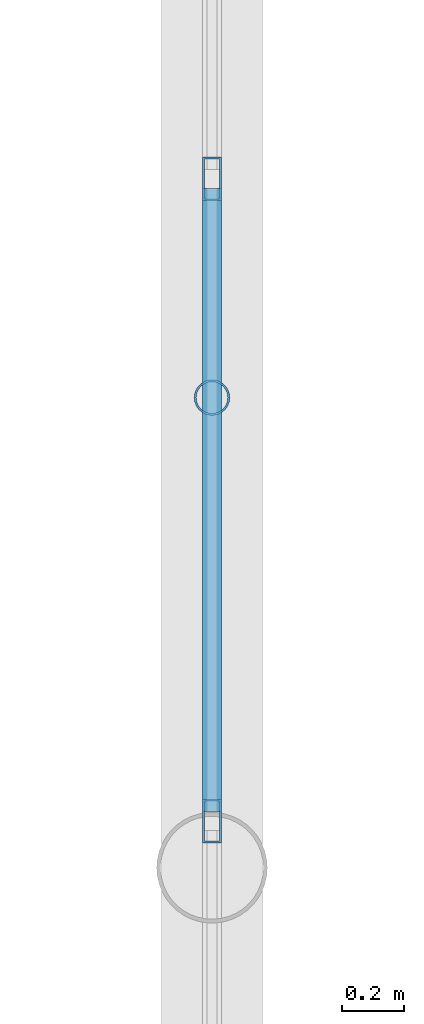
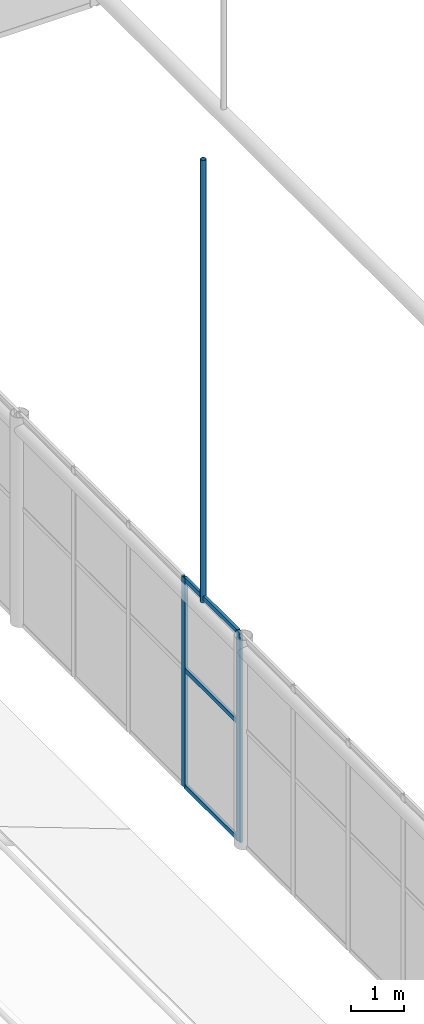
# One storey, part 64 of 167: 6 members, 1 element without a shape of its own.
"""IFC4 building model written with IfcOpenShell, lengths in metres."""

from ifc_helpers import new_model, si_unit, direction, frame, origin, origin_2d, place, context, subcontext, project, spatial, hollow_rectangle, hollow_circle, extrude, material, material_profile, profile_set, type_object, element, aggregate, save


model = new_model("IFC4")

# Units and contexts
model_context = context("Model", 3, precision=1e-05, world=origin(), true_north=direction((0.0, 1.0)))
body_context = subcontext(model_context, "Body", "Model", "MODEL_VIEW")
ifc_project = project(units=[si_unit("LENGTHUNIT", "METRE"), si_unit("AREAUNIT", "SQUARE_METRE"), si_unit("VOLUMEUNIT", "CUBIC_METRE"), si_unit("PLANEANGLEUNIT", "RADIAN"), si_unit("MASSUNIT", "GRAM", prefix="KILO")], contexts=[model_context])

# Site, building, storey
site_placement = place(None, origin())
site = spatial("IfcSite", under=ifc_project, at=site_placement, CompositionType="ELEMENT")
building_placement = place(site_placement, origin())
building = spatial("IfcBuilding", under=site, at=building_placement, Name="Catenary Quay Ferry Terminal", CompositionType="ELEMENT")
storey_placement = place(building_placement, frame((0.0, 0.0, 6.0)))
storey = spatial("IfcBuildingStorey", under=building, at=storey_placement, Name="L01", CompositionType="ELEMENT", Elevation=6.0)

# Member
ifc_material_1 = material(Name="Steel S355", Category="steel")
ifc_material_profile_1 = material_profile(ifc_material_1, hollow_circle(Radius=0.05712890625, WallThickness=0.00634765625, at=origin_2d()), Name="CHS 114.3x6.3")
ifc_profile_set_1 = profile_set([ifc_material_profile_1], Name="Steel S355")
member_type_1 = type_object("IfcMemberType", Name="HG1 CHS 114.3x6.3", PredefinedType="POST", material=ifc_profile_set_1)
member_1_placement = place(storey_placement, frame((25.199951171875, 119.110107421875, 4.654052734375), z_axis=(0.0, 0.0, 1.0), x_axis=(1.0, 0.0, 0.0)))
element("IfcMember", 1, at=member_1_placement, inside=storey, type_object=member_type_1, Name="Hanger VD-01-04", PredefinedType="POST", context=body_context, shape_type="SweptSolid", body=[
    extrude(hollow_circle(Radius=0.05712890625, WallThickness=0.00634765625, at=origin_2d()), origin(), (0.0, 0.0, 1.0), 10.137939453125),
])

# Curtain wall, members
ifc_material_2 = material(Name="Aluminium and glass", Category="aluminium")
curtain_wall_type = type_object("IfcCurtainWallType", Name="CWG", PredefinedType="NOTDEFINED", material=ifc_material_2)
curtain_wall_placement = place(storey_placement, origin())
curtain_wall = element("IfcCurtainWall", 2, at=curtain_wall_placement, inside=storey, type_object=curtain_wall_type, Name="Gable departure hall curtain wall CW16", PredefinedType="NOTDEFINED")
ifc_material_3 = material(Name="Aluminium", Category="aluminium")
ifc_material_profile_2 = material_profile(ifc_material_3, hollow_rectangle(XDim=0.06005859375, YDim=0.139892578125, WallThickness=0.006103515625, at=origin_2d()), Name="MU2")
ifc_profile_set_2 = profile_set([ifc_material_profile_2], Name="Aluminium")
member_type_2 = type_object("IfcMemberType", Name="MU2", PredefinedType="MULLION", material=ifc_profile_set_2)
member_2_placement = place(storey_placement, frame((25.199951171875, 117.75, 0.0), z_axis=(0.0, 0.0, 1.0), x_axis=(-1.0, 0.0, 0.0)))
member_2 = element("IfcMember", 3, at=member_2_placement, type_object=member_type_2, Name="CW16 mullion 5", PredefinedType="MULLION", context=body_context, shape_type="SweptSolid", body=[
    extrude(hollow_rectangle(XDim=0.06005859375, YDim=0.139892578125, WallThickness=0.006103515625, at=origin_2d()), origin(), (0.0, 0.0, 1.0), 4.800048828125),
])
member_3_placement = place(storey_placement, frame((25.199951171875, 119.8125, 0.0), z_axis=(0.0, 0.0, 1.0), x_axis=(-1.0, 0.0, 0.0)))
member_3 = element("IfcMember", 4, at=member_3_placement, type_object=member_type_2, Name="CW16 mullion 6", PredefinedType="MULLION", context=body_context, shape_type="SweptSolid", body=[
    extrude(hollow_rectangle(XDim=0.06005859375, YDim=0.139892578125, WallThickness=0.006103515625, at=origin_2d()), origin(), (0.0, 0.0, 1.0), 4.800048828125),
])
ifc_material_4 = material(Name="Aluminium", Category="aluminium")
ifc_material_profile_3 = material_profile(ifc_material_4, hollow_rectangle(XDim=0.06005859375, YDim=0.10009765625, WallThickness=0.0048828125, at=origin_2d()), Name="TR2")
ifc_profile_set_3 = profile_set([ifc_material_profile_3], Name="Aluminium")
member_type_3 = type_object("IfcMemberType", Name="TR2", PredefinedType="USERDEFINED", material=ifc_profile_set_3)
member_4_placement = place(storey_placement, frame((25.199951171875, 117.780029296875, 0.030029296875), z_axis=(0.0, 1.0, 0.0), x_axis=(-1.0, 0.0, 0.0)))
member_4 = element("IfcMember", 5, at=member_4_placement, type_object=member_type_3, Name="CW16 transom 5.1", ObjectType="TRANSOM", PredefinedType="USERDEFINED", context=body_context, shape_type="SweptSolid", body=[
    extrude(hollow_rectangle(XDim=0.06005859375, YDim=0.10009765625, WallThickness=0.0048828125, at=origin_2d()), origin(), (0.0, 0.0, 1.0), 2.00244140625),
])
member_5_placement = place(storey_placement, frame((25.199951171875, 117.780029296875, 2.699951171875), z_axis=(0.0, 1.0, 0.0), x_axis=(-1.0, 0.0, 0.0)))
member_5 = element("IfcMember", 6, at=member_5_placement, type_object=member_type_3, Name="CW16 transom 5.2", ObjectType="TRANSOM", PredefinedType="USERDEFINED", context=body_context, shape_type="SweptSolid", body=[
    extrude(hollow_rectangle(XDim=0.06005859375, YDim=0.10009765625, WallThickness=0.0048828125, at=origin_2d()), origin(), (0.0, 0.0, 1.0), 2.00244140625),
])
member_6_placement = place(storey_placement, frame((25.199951171875, 117.780029296875, 4.77001953125), z_axis=(0.0, 1.0, 0.0), x_axis=(-1.0, 0.0, 0.0)))
member_6 = element("IfcMember", 7, at=member_6_placement, type_object=member_type_3, Name="CW16 transom 5.3", ObjectType="TRANSOM", PredefinedType="USERDEFINED", context=body_context, shape_type="SweptSolid", body=[
    extrude(hollow_rectangle(XDim=0.06005859375, YDim=0.10009765625, WallThickness=0.0048828125, at=origin_2d()), origin(), (0.0, 0.0, 1.0), 2.00244140625),
])
aggregate(curtain_wall, [member_2, member_3, member_4, member_5, member_6])

save(model, "model.ifc")
